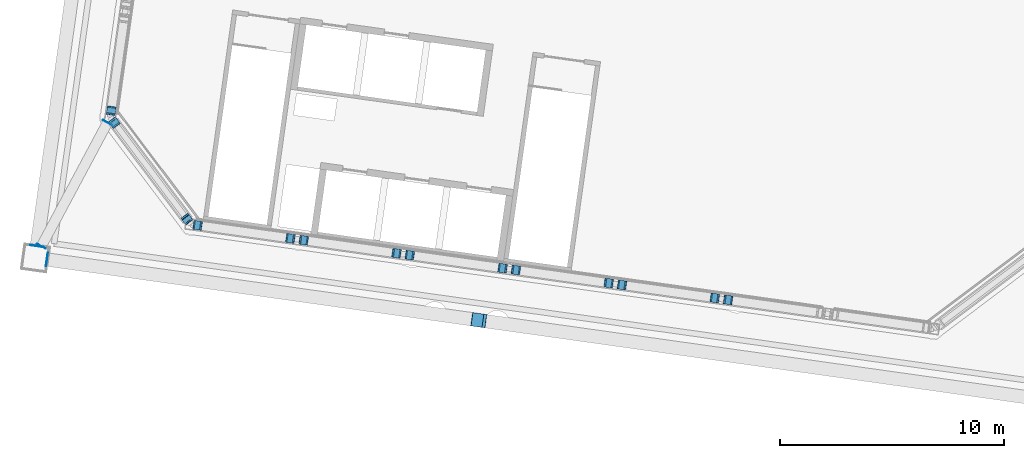
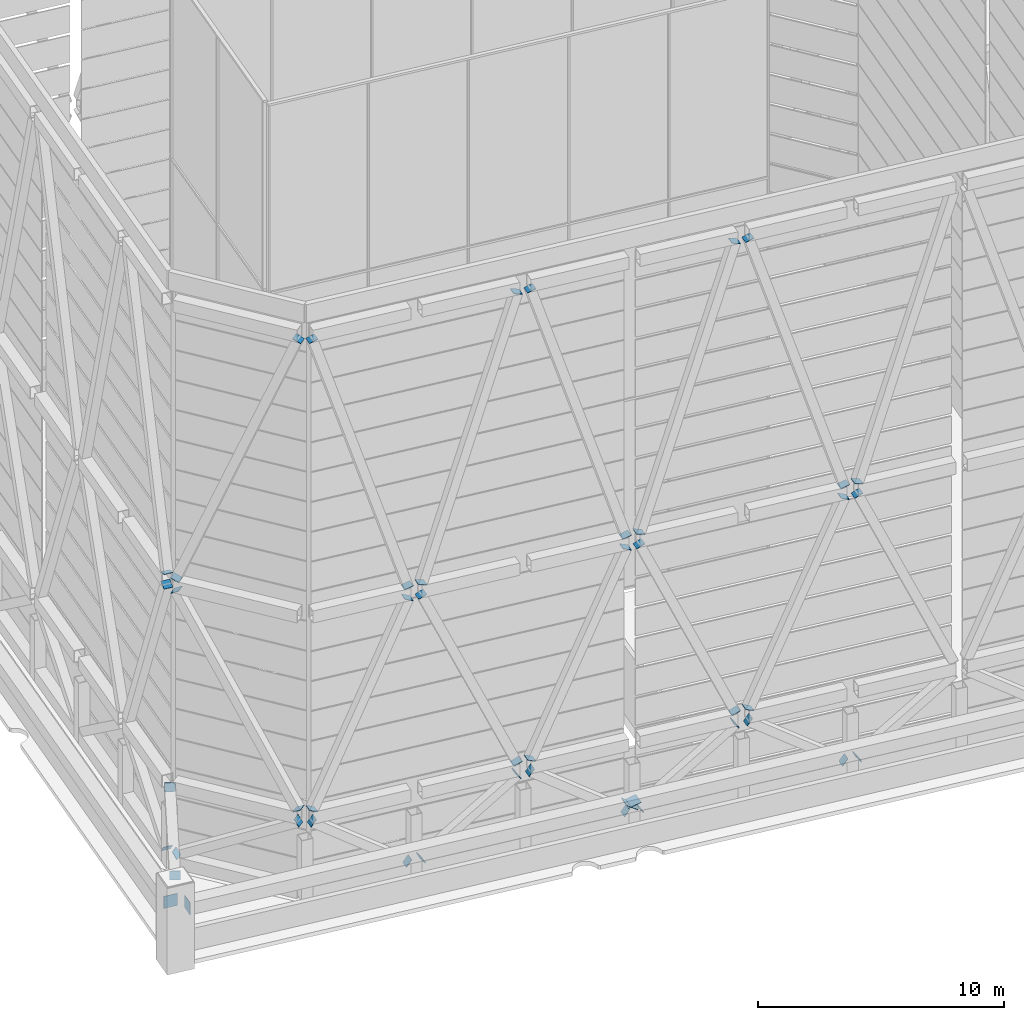
# One storey, part 30 of 45: 48 discrete accessories.
"""IFC4 building model written with IfcOpenShell, lengths in metres."""

from ifc_helpers import new_model, si_unit, direction, frame, origin, origin_2d, place, context, subcontext, project, spatial, rectangle, extrude, material, material_profile, profile_set, type_object, element, save


model = new_model("IFC4")

# Units and contexts
model_context = context("Model", 3, precision=1e-05, world=origin(), true_north=direction((0.0, 1.0)))
body_context = subcontext(model_context, "Body", "Model", "MODEL_VIEW")
ifc_project = project(units=[si_unit("LENGTHUNIT", "METRE"), si_unit("AREAUNIT", "SQUARE_METRE"), si_unit("VOLUMEUNIT", "CUBIC_METRE"), si_unit("PLANEANGLEUNIT", "RADIAN"), si_unit("MASSUNIT", "GRAM", prefix="KILO")], contexts=[model_context])

# Site, building, storey
site_placement = place(None, origin())
site = spatial("IfcSite", under=ifc_project, at=site_placement, CompositionType="ELEMENT")
building_placement = place(site_placement, origin())
building = spatial("IfcBuilding", under=site, at=building_placement, Name="Mirante Cascada Hotel Towers", CompositionType="ELEMENT")
storey_placement = place(building_placement, frame((0.0, 0.0, 269.8)))
storey = spatial("IfcBuildingStorey", under=building, at=storey_placement, Name="Roof garden", CompositionType="ELEMENT", Elevation=269.8)

# Discrete accessories
ifc_material_1 = material(Name="Steel ASTM A572 Gr 50", Category="steel")
ifc_material_profile_1 = material_profile(ifc_material_1, rectangle(XDim=0.4, YDim=0.4, at=origin_2d()), Name="Connection plate 400x400x25 ASTM A572 Gr 50")
ifc_profile_set_1 = profile_set([ifc_material_profile_1], Name="Steel ASTM A572 Gr 50")
discrete_accessory_type_1 = type_object("IfcDiscreteAccessoryType", Name="Connection plate 400x400x25 ASTM A572 Gr 50", PredefinedType="BRACKET", material=ifc_profile_set_1)
discrete_accessory_1_placement = place(storey_placement, frame((-58.2433, -12.1921, 0.5925), z_axis=(0.1116566, 0.7935596, 0.5981605), x_axis=(-0.9902459, 0.1393311, 0.0)))
element("IfcDiscreteAccessory", 1, at=discrete_accessory_1_placement, inside=storey, type_object=discrete_accessory_type_1, Name="Connection plate HT-D", PredefinedType="BRACKET", context=body_context, shape_type="SweptSolid", body=[
    extrude(rectangle(XDim=0.4, YDim=0.4, at=origin_2d()), origin(), (0.0, 0.0, 1.0), 0.0251),
])
for number, where, z_axis, x_axis, name in (
    (2, (-58.1097, -12.7102, 0.5938), (0.5241426, -0.6921883, 0.496135), (0.7972266, 0.6036802, 0.0), "Connection plate HT-D"),
    (3, (-54.8652, -17.0158, 3.6938), (0.5241426, -0.6921883, 0.496135), (0.7972266, 0.6036802, 0.0), "Connection plate HT-D"),
    (4, (-50.2243, -17.89, 0.5926), (-0.7973471, 0.1121895, 0.5930018), (-0.1393311, -0.9902459, 0.0), "Connection plate HT-D"),
    (5, (-54.3711, -17.3072, 3.6926), (-0.7973471, 0.1121895, 0.5930018), (-0.1393311, -0.9902459, 0.0), "Connection plate HT-D"),
    (6, (-49.6501, -17.9707, 0.5926), (0.7973471, -0.1121895, 0.5930018), (0.1393311, 0.9902459, 0.0), "Connection plate HT-D"),
    (7, (-45.5033, -18.5534, 3.6926), (0.7973471, -0.1121895, 0.5930018), (0.1393311, 0.9902459, 0.0), "Connection plate HT-D"),
    (8, (-40.7425, -19.2225, 0.5926), (-0.7973471, 0.1121895, 0.5930018), (-0.1393311, -0.9902459, 0.0), "Connection plate HT-D"),
):
    element("IfcDiscreteAccessory", number, at=place(storey_placement, frame(where, z_axis=z_axis, x_axis=x_axis)), inside=storey, type_object=discrete_accessory_type_1, Name=name, PredefinedType="BRACKET", context=body_context, shape_type="SweptSolid", body=[
        extrude(rectangle(XDim=0.4, YDim=0.4, at=origin_2d()), origin(), (0.0, 0.0, 1.0), 0.025),
    ])
discrete_accessory_2_placement = place(storey_placement, frame((-44.8893, -18.6397, 3.6926), z_axis=(-0.7976993, 0.1082306, 0.5932638), x_axis=(-0.1344465, -0.9909208, 0.0)))
element("IfcDiscreteAccessory", 9, at=discrete_accessory_2_placement, inside=storey, type_object=discrete_accessory_type_1, Name="Connection plate HT-D", PredefinedType="BRACKET", context=body_context, shape_type="SweptSolid", body=[
    extrude(rectangle(XDim=0.4, YDim=0.4, at=origin_2d()), origin(), (0.0, 0.0, 1.0), 0.0249),
])
for number, where, z_axis, x_axis, name in (
    (10, (-40.1683, -19.3032, 0.5926), (0.7973471, -0.1121895, 0.5930018), (0.1393311, 0.9902459, 0.0), "Connection plate HT-D"),
    (11, (-36.0216, -19.886, 3.6926), (0.7973471, -0.1121895, 0.5930018), (0.1393311, 0.9902459, 0.0), "Connection plate HT-D"),
    (12, (-31.2608, -20.5551, 0.5926), (-0.7973471, 0.1121895, 0.5930018), (-0.1393311, -0.9902459, 0.0), "Connection plate HT-D"),
    (13, (-35.4075, -19.9723, 3.6926), (-0.7973471, 0.1121895, 0.5930018), (-0.1393311, -0.9902459, 0.0), "Connection plate HT-D"),
    (14, (-30.6865, -20.6358, 0.5926), (0.7973471, -0.1121895, 0.5930018), (0.1393311, 0.9902459, 0.0), "Connection plate HT-D"),
):
    element("IfcDiscreteAccessory", number, at=place(storey_placement, frame(where, z_axis=z_axis, x_axis=x_axis)), inside=storey, type_object=discrete_accessory_type_1, Name=name, PredefinedType="BRACKET", context=body_context, shape_type="SweptSolid", body=[
        extrude(rectangle(XDim=0.4, YDim=0.4, at=origin_2d()), origin(), (0.0, 0.0, 1.0), 0.025),
    ])
for number, where, z_axis, x_axis, name in (
    (15, (-58.2412, -12.1772, 13.6886), (-0.0561439, -0.4010279, 0.9143437), (0.9903417, -0.1386478, 0.0), "Connection plate CF-B"),
    (16, (-54.8549, -17.0294, 4.2892), (-0.3010083, 0.3973309, 0.8669038), (-0.7970921, -0.6038577, 0.0), "Connection plate CF-B"),
    (17, (-58.0994, -12.7238, 13.6892), (-0.3010083, 0.3973309, 0.8669038), (-0.7970921, -0.6038577, 0.0), "Connection plate CF-B"),
):
    element("IfcDiscreteAccessory", number, at=place(storey_placement, frame(where, z_axis=z_axis, x_axis=x_axis)), inside=storey, type_object=discrete_accessory_type_1, Name=name, PredefinedType="BRACKET", context=body_context, shape_type="SweptSolid", body=[
        extrude(rectangle(XDim=0.4, YDim=0.4, at=origin_2d()), origin(), (0.0, 0.0, 1.0), 0.0249),
    ])
discrete_accessory_3_placement = place(storey_placement, frame((-54.3861, -17.3051, 4.2886), z_axis=(0.4043852, -0.0560534, 0.9128695), x_axis=(0.1373011, 0.9905294, 0.0)))
element("IfcDiscreteAccessory", 18, at=discrete_accessory_3_placement, inside=storey, type_object=discrete_accessory_type_1, Name="Connection plate CF-B", PredefinedType="BRACKET", context=body_context, shape_type="SweptSolid", body=[
    extrude(rectangle(XDim=0.4, YDim=0.4, at=origin_2d()), origin(), (0.0, 0.0, 1.0), 0.025),
])
for number, where, z_axis, x_axis, name in (
    (19, (-50.2393, -17.8878, 13.6886), (0.4009345, -0.0601402, 0.9141306), (0.1483405, 0.9889364, 0.0), "Connection plate CF-B"),
    (20, (-45.4884, -18.5556, 4.2886), (-0.4009345, 0.0601402, 0.9141306), (-0.1483405, -0.9889364, 0.0), "Connection plate CF-B"),
):
    element("IfcDiscreteAccessory", number, at=place(storey_placement, frame(where, z_axis=z_axis, x_axis=x_axis)), inside=storey, type_object=discrete_accessory_type_1, Name=name, PredefinedType="BRACKET", context=body_context, shape_type="SweptSolid", body=[
        extrude(rectangle(XDim=0.4, YDim=0.4, at=origin_2d()), origin(), (0.0, 0.0, 1.0), 0.0249),
    ])
for number, where, z_axis, x_axis, name in (
    (21, (-49.6351, -17.9728, 13.6886), (-0.4043852, 0.0560534, 0.9128695), (-0.1373011, -0.9905294, 0.0), "Connection plate CF-B"),
    (22, (-44.9043, -18.6376, 4.2886), (0.4042912, -0.0600432, 0.9126574), (0.1469036, 0.9891508, 0.0), "Connection plate CF-B"),
):
    element("IfcDiscreteAccessory", number, at=place(storey_placement, frame(where, z_axis=z_axis, x_axis=x_axis)), inside=storey, type_object=discrete_accessory_type_1, Name=name, PredefinedType="BRACKET", context=body_context, shape_type="SweptSolid", body=[
        extrude(rectangle(XDim=0.4, YDim=0.4, at=origin_2d()), origin(), (0.0, 0.0, 1.0), 0.025),
    ])
for number, where, z_axis, x_axis, name in (
    (23, (-40.7575, -19.2204, 13.6886), (0.4010279, -0.0561439, 0.9143437), (0.1386478, 0.9903417, 0.0), "Connection plate CF-B"),
    (24, (-36.0066, -19.8881, 4.2886), (-0.4010279, 0.0561439, 0.9143437), (-0.1386478, -0.9903417, 0.0), "Connection plate CF-B"),
):
    element("IfcDiscreteAccessory", number, at=place(storey_placement, frame(where, z_axis=z_axis, x_axis=x_axis)), inside=storey, type_object=discrete_accessory_type_1, Name=name, PredefinedType="BRACKET", context=body_context, shape_type="SweptSolid", body=[
        extrude(rectangle(XDim=0.4, YDim=0.4, at=origin_2d()), origin(), (0.0, 0.0, 1.0), 0.0249),
    ])
for number, where, z_axis, x_axis, name in (
    (25, (-40.1533, -19.3053, 13.6886), (-0.4043852, 0.0560534, 0.9128695), (-0.1373011, -0.9905294, 0.0), "Connection plate CF-B"),
    (26, (-35.4225, -19.9702, 4.2886), (0.4043852, -0.0560534, 0.9128695), (0.1373011, 0.9905294, 0.0), "Connection plate CF-B"),
):
    element("IfcDiscreteAccessory", number, at=place(storey_placement, frame(where, z_axis=z_axis, x_axis=x_axis)), inside=storey, type_object=discrete_accessory_type_1, Name=name, PredefinedType="BRACKET", context=body_context, shape_type="SweptSolid", body=[
        extrude(rectangle(XDim=0.4, YDim=0.4, at=origin_2d()), origin(), (0.0, 0.0, 1.0), 0.025),
    ])
discrete_accessory_4_placement = place(storey_placement, frame((-31.2757, -20.553, 13.6886), z_axis=(0.4010279, -0.0561439, 0.9143437), x_axis=(0.1386478, 0.9903417, 0.0)))
element("IfcDiscreteAccessory", 27, at=discrete_accessory_4_placement, inside=storey, type_object=discrete_accessory_type_1, Name="Connection plate CF-B", PredefinedType="BRACKET", context=body_context, shape_type="SweptSolid", body=[
    extrude(rectangle(XDim=0.4, YDim=0.4, at=origin_2d()), origin(), (0.0, 0.0, 1.0), 0.0249),
])
discrete_accessory_5_placement = place(storey_placement, frame((-30.6715, -20.6379, 13.6886), z_axis=(-0.4043852, 0.0560534, 0.9128695), x_axis=(-0.1373011, -0.9905294, 0.0)))
element("IfcDiscreteAccessory", 28, at=discrete_accessory_5_placement, inside=storey, type_object=discrete_accessory_type_1, Name="Connection plate CF-B", PredefinedType="BRACKET", context=body_context, shape_type="SweptSolid", body=[
    extrude(rectangle(XDim=0.4, YDim=0.4, at=origin_2d()), origin(), (0.0, 0.0, 1.0), 0.025),
])
discrete_accessory_6_placement = place(storey_placement, frame((-58.2425, -12.1859, 14.2881), z_axis=(0.0440915, 0.2966152, 0.9539787), x_axis=(-0.9891316, 0.1470331, 0.0)))
element("IfcDiscreteAccessory", 29, at=discrete_accessory_6_placement, inside=storey, type_object=discrete_accessory_type_1, Name="Connection plate CF-B", PredefinedType="BRACKET", context=body_context, shape_type="SweptSolid", body=[
    extrude(rectangle(XDim=0.4, YDim=0.4, at=origin_2d()), origin(), (0.0, 0.0, 1.0), 0.0249),
])
for number, where, z_axis, x_axis, name in (
    (30, (-58.106, -12.7151, 14.2884), (0.2276397, -0.2995259, 0.9265335), (0.7961622, 0.6050833, 0.0), "Connection plate CF-B"),
    (31, (-54.8615, -17.0207, 27.6384), (0.2276397, -0.2995259, 0.9265335), (0.7961622, 0.6050833, 0.0), "Connection plate CF-B"),
):
    element("IfcDiscreteAccessory", number, at=place(storey_placement, frame(where, z_axis=z_axis, x_axis=x_axis)), inside=storey, type_object=discrete_accessory_type_1, Name=name, PredefinedType="BRACKET", context=body_context, shape_type="SweptSolid", body=[
        extrude(rectangle(XDim=0.4, YDim=0.4, at=origin_2d()), origin(), (0.0, 0.0, 1.0), 0.025),
    ])
for number, where, z_axis, x_axis, name in (
    (32, (-50.2306, -17.8891, 14.2881), (-0.2966152, 0.0440915, 0.9539787), (-0.1470331, -0.9891316, 0.0), "Connection plate CF-B"),
    (33, (-54.3773, -17.3063, 27.6381), (-0.2966152, 0.0440915, 0.9539787), (-0.1470331, -0.9891316, 0.0), "Connection plate CF-B"),
    (34, (-49.6438, -17.9715, 14.2881), (0.2966152, -0.0440915, 0.9539787), (0.1470331, 0.9891316, 0.0), "Connection plate CF-B"),
    (35, (-45.4971, -18.5543, 27.6381), (0.2966152, -0.0440915, 0.9539787), (0.1470331, 0.9891316, 0.0), "Connection plate CF-B"),
    (36, (-40.7488, -19.2217, 14.2881), (-0.2966152, 0.0440915, 0.9539787), (-0.1470331, -0.9891316, 0.0), "Connection plate CF-B"),
    (37, (-44.8955, -18.6389, 27.6381), (-0.2966152, 0.0440915, 0.9539787), (-0.1470331, -0.9891316, 0.0), "Connection plate CF-B"),
    (38, (-40.162, -19.3041, 14.2881), (0.2966152, -0.0440915, 0.9539787), (0.1470331, 0.9891316, 0.0), "Connection plate CF-B"),
    (39, (-36.0153, -19.8869, 27.6381), (0.2966653, -0.0400899, 0.9541397), (0.1339179, 0.9909924, 0.0), "Connection plate CF-B"),
    (40, (-31.267, -20.5542, 14.2881), (-0.2966653, 0.0400899, 0.9541397), (-0.1339179, -0.9909924, 0.0), "Connection plate CF-B"),
    (41, (-35.4137, -19.9715, 27.6381), (-0.2966152, 0.0440915, 0.9539787), (-0.1470331, -0.9891316, 0.0), "Connection plate CF-B"),
    (42, (-30.6802, -20.6367, 14.2881), (0.2966653, -0.0400899, 0.9541397), (0.1339179, 0.9909924, 0.0), "Connection plate CF-B"),
):
    element("IfcDiscreteAccessory", number, at=place(storey_placement, frame(where, z_axis=z_axis, x_axis=x_axis)), inside=storey, type_object=discrete_accessory_type_1, Name=name, PredefinedType="BRACKET", context=body_context, shape_type="SweptSolid", body=[
        extrude(rectangle(XDim=0.4, YDim=0.4, at=origin_2d()), origin(), (0.0, 0.0, 1.0), 0.0249),
    ])
ifc_material_2 = material(Name="Steel ASTM A572 Gr 50", Category="steel")
ifc_material_profile_2 = material_profile(ifc_material_2, rectangle(XDim=0.45, YDim=0.45, at=origin_2d()), Name="Connection plate 450x450x25 ASTM A572 Gr 50")
ifc_profile_set_2 = profile_set([ifc_material_profile_2], Name="Steel ASTM A572 Gr 50")
discrete_accessory_type_2 = type_object("IfcDiscreteAccessoryType", Name="Connection plate 450x450x25 ASTM A572 Gr 50", PredefinedType="BRACKET", material=ifc_profile_set_2)
for number, where, z_axis, x_axis, name in (
    (43, (-61.3702, -18.254, 4.0), (0.472666, 0.8812417, 0.0), (-0.8812417, 0.472666, 0.0), "Connection plate CF-T"),
    (44, (-58.4151, -12.7251, 4.0), (0.472666, 0.8812417, 0.0), (-0.8812417, 0.472666, 0.0), "Connection plate CF-T"),
):
    element("IfcDiscreteAccessory", number, at=place(storey_placement, frame(where, z_axis=z_axis, x_axis=x_axis)), inside=storey, type_object=discrete_accessory_type_2, Name=name, PredefinedType="BRACKET", context=body_context, shape_type="SweptSolid", body=[
        extrude(rectangle(XDim=0.45, YDim=0.45, at=origin_2d()), origin(), (0.0, 0.0, 1.0), 0.025),
    ])
ifc_material_3 = material(Name="Steel ASTM A572 Gr 50", Category="steel")
ifc_material_profile_3 = material_profile(ifc_material_3, rectangle(XDim=0.6, YDim=0.6, at=origin_2d()), Name="Connection plate 600x600x25 ASTM A572 Gr 50")
ifc_profile_set_3 = profile_set([ifc_material_profile_3], Name="Steel ASTM A572 Gr 50")
discrete_accessory_type_3 = type_object("IfcDiscreteAccessoryType", Name="Connection plate 600x600x25 ASTM A572 Gr 50", PredefinedType="BRACKET", material=ifc_profile_set_3)
for number, where, z_axis, x_axis, name in (
    (45, (-41.7823, -21.5505, 2.8098), (-0.2602354, 0.0360326, 0.9648726), (-0.1371531, -0.9905499, 0.0), "Connection plate MB-RL50L"),
    (46, (-41.8915, -21.5351, 2.7211), (0.5556889, -0.0799552, 0.8275367), (0.1424182, 0.9898066, 0.0), "Connection plate MB-RL50R"),
):
    element("IfcDiscreteAccessory", number, at=place(storey_placement, frame(where, z_axis=z_axis, x_axis=x_axis)), inside=storey, type_object=discrete_accessory_type_3, Name=name, PredefinedType="BRACKET", context=body_context, shape_type="SweptSolid", body=[
        extrude(rectangle(XDim=0.6, YDim=0.6, at=origin_2d()), origin(), (0.0, 0.0, 1.0), 0.025),
    ])
for number, where, z_axis, x_axis, name in (
    (47, (-61.1032, -18.8351, 2.8), (-0.9901092, 0.1402989, 0.0), (-0.1402989, -0.9901092, 0.0), "Connection plate NCH"),
    (48, (-61.5684, -18.2471, 2.8), (0.1402989, 0.9901092, 0.0), (-0.9901092, 0.1402989, 0.0), "Connection plate NCH"),
):
    element("IfcDiscreteAccessory", number, at=place(storey_placement, frame(where, z_axis=z_axis, x_axis=x_axis)), inside=storey, type_object=discrete_accessory_type_3, Name=name, PredefinedType="BRACKET", context=body_context, shape_type="SweptSolid", body=[
        extrude(rectangle(XDim=0.6, YDim=0.6, at=origin_2d()), origin(), (0.0, 0.0, 1.0), 0.0249),
    ])

save(model, "model.ifc")
